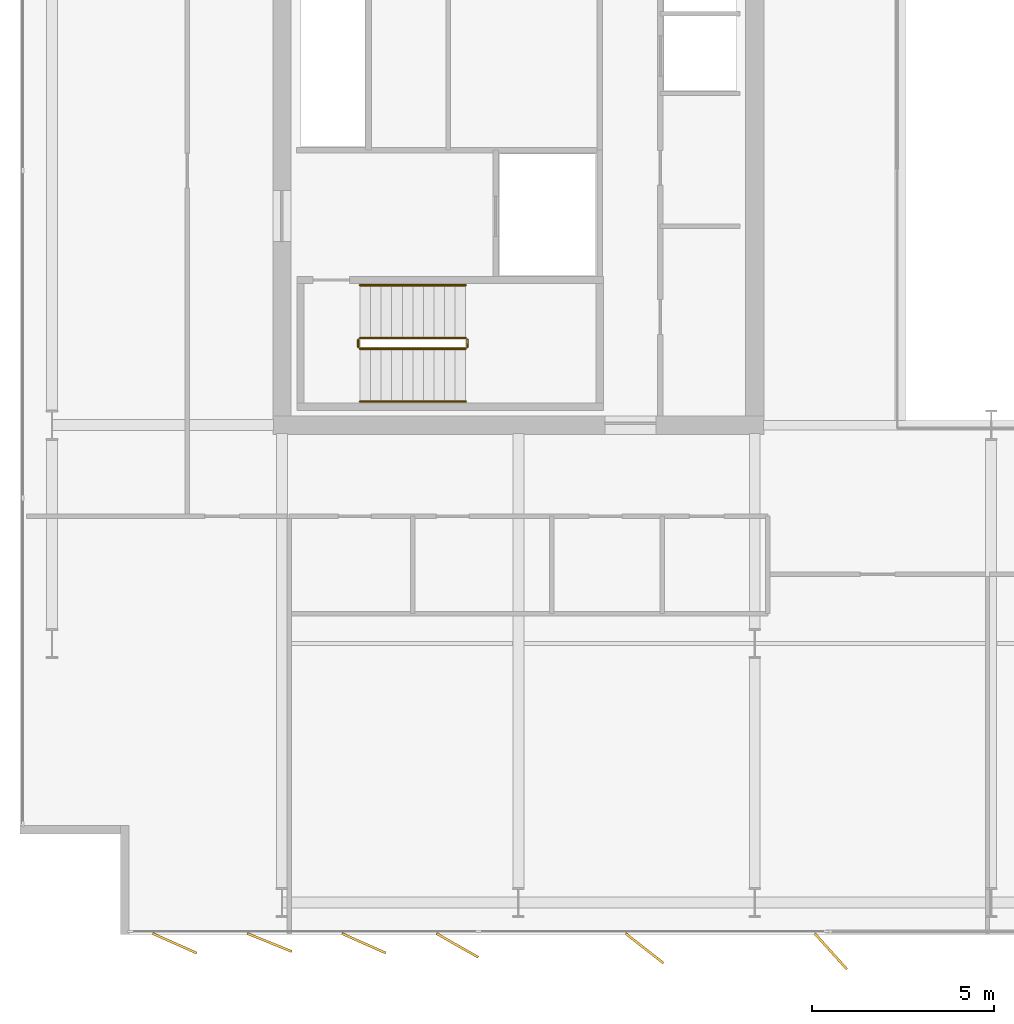
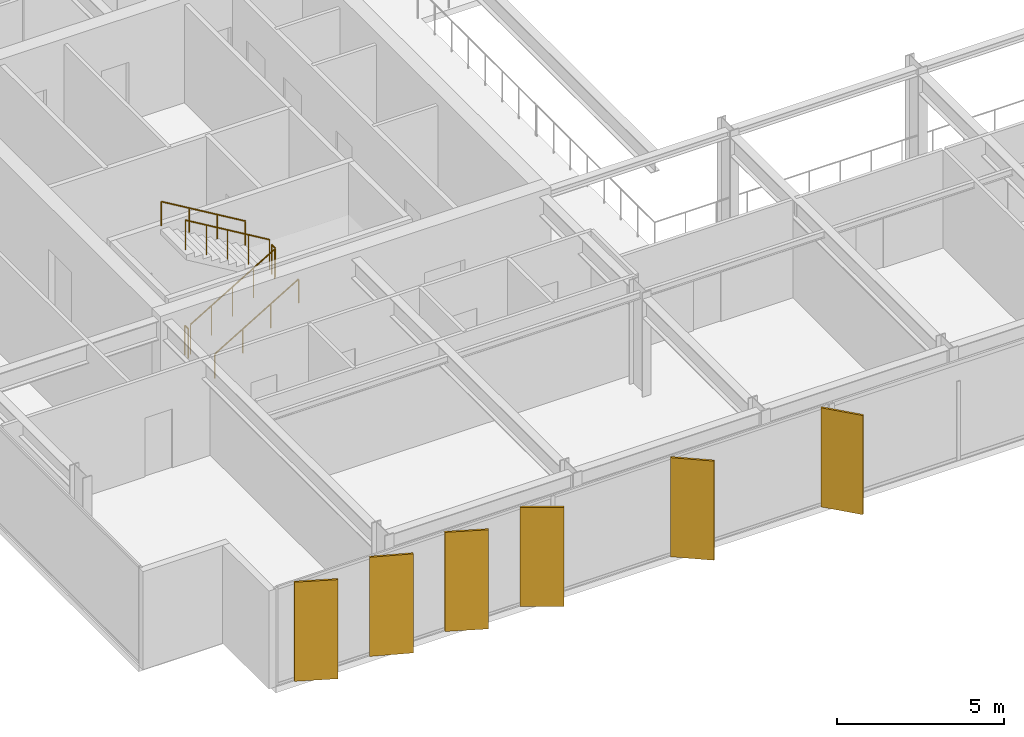
# One storey, part 21 of 24: 6 railings, 6 shading devices.
"""IFC4 building model written with IfcOpenShell, lengths in metres."""

from ifc_helpers import new_model, si_unit, direction, frame, origin, origin_2d, place, context, subcontext, project, spatial, rectangle, circle, extrude, material, layer, layer_set, type_object, element, save


model = new_model("IFC4")

# Units and contexts
model_context = context("Model", 3, precision=1e-05, world=origin(), true_north=direction((0.0, 1.0)))
body_context = subcontext(model_context, "Body", "Model", "MODEL_VIEW")
ifc_project = project(units=[si_unit("LENGTHUNIT", "METRE"), si_unit("AREAUNIT", "SQUARE_METRE"), si_unit("VOLUMEUNIT", "CUBIC_METRE"), si_unit("PLANEANGLEUNIT", "RADIAN"), si_unit("MASSUNIT", "GRAM", prefix="KILO")], contexts=[model_context])

# Site, building, storey
site_placement = place(None, origin())
site = spatial("IfcSite", under=ifc_project, at=site_placement, CompositionType="ELEMENT")
building_placement = place(site_placement, origin())
building = spatial("IfcBuilding", under=site, at=building_placement, Name="Putna Gate Headquarters", CompositionType="ELEMENT")
storey_placement = place(building_placement, frame((0.0, 0.0, 244.199951171875)))
storey = spatial("IfcBuildingStorey", under=building, at=storey_placement, Name="L61", CompositionType="ELEMENT", Elevation=244.199951171875)

# Railings
ifc_material_1 = material(Name="Powder-coated steel stair guardrail", Category="steel")
railing_type_1 = type_object("IfcRailingType", Name="RAIL-STAIR-GUARD-1100", PredefinedType="GUARDRAIL", material=ifc_material_1)
railing_1_placement = place(storey_placement, frame((15.14990234375, 21.10009765625, 0.1728515625)))
element("IfcRailing", 1, at=railing_1_placement, inside=storey, type_object=railing_type_1, Name="L61 ST1 stair guard 1", PredefinedType="GUARDRAIL", context=body_context, shape_type="SweptSolid", body=[
    extrude(circle(Radius=0.02392578125, at=origin_2d()), frame((0.0, 0.0, 1.076171875), z_axis=(0.859160404282, 0.0, 0.51170636083), x_axis=(0.0, 1.0, 0.0)), (0.0, 0.0, 1.0), 3.37548828125),
    extrude(circle(Radius=0.02099609375, at=origin_2d()), origin(), (0.0, 0.0, 1.0), 1.052001953125),
    extrude(circle(Radius=0.02099609375, at=origin_2d()), frame((0.72509765625, 0.0, 0.431884765625)), (0.0, 0.0, 1.0), 1.052001953125),
    extrude(circle(Radius=0.02099609375, at=origin_2d()), frame((1.4501953125, 0.0, 0.86376953125)), (0.0, 0.0, 1.0), 1.052001953125),
    extrude(circle(Radius=0.02099609375, at=origin_2d()), frame((2.175048828125, 0.0, 1.29541015625)), (0.0, 0.0, 1.0), 1.052001953125),
    extrude(circle(Radius=0.02099609375, at=origin_2d()), frame((2.900146484375, 0.0, 1.727294921875)), (0.0, 0.0, 1.0), 1.052001953125),
])
railing_2_placement = place(storey_placement, frame((18.10009765625, 21.14990234375, 1.900146484375)))
element("IfcRailing", 2, at=railing_2_placement, inside=storey, type_object=railing_type_1, Name="L61 ST1 stair guard 2", PredefinedType="GUARDRAIL", context=body_context, shape_type="SweptSolid", body=[
    extrude(circle(Radius=0.02392578125, at=origin_2d()), frame((0.0, 0.0, 1.076171875), z_axis=(0.0, 1.0, 0.0), x_axis=(-1.0, 0.0, 0.0)), (0.0, 0.0, 1.0), 0.2001953125),
    extrude(circle(Radius=0.02099609375, at=origin_2d()), origin(), (0.0, 0.0, 1.0), 1.052001953125),
    extrude(circle(Radius=0.02099609375, at=origin_2d()), frame((0.0, 0.2001953125, 0.0)), (0.0, 0.0, 1.0), 1.052001953125),
])
railing_3_placement = place(storey_placement, frame((18.050048828125, 21.39990234375, 2.07275390625)))
element("IfcRailing", 3, at=railing_3_placement, inside=storey, type_object=railing_type_1, Name="L61 ST1 stair guard 3", PredefinedType="GUARDRAIL", context=body_context, shape_type="SweptSolid", body=[
    extrude(circle(Radius=0.02392578125, at=origin_2d()), frame((0.0, 0.0, 1.076171875), z_axis=(-0.859160404282, 0.0, 0.51170636083), x_axis=(0.0, -1.0, 0.0)), (0.0, 0.0, 1.0), 3.37548828125),
    extrude(circle(Radius=0.02099609375, at=origin_2d()), origin(), (0.0, 0.0, 1.0), 1.052001953125),
    extrude(circle(Radius=0.02099609375, at=origin_2d()), frame((-0.72509765625, 0.0, 0.431884765625)), (0.0, 0.0, 1.0), 1.052001953125),
    extrude(circle(Radius=0.02099609375, at=origin_2d()), frame((-1.4501953125, 0.0, 0.86376953125)), (0.0, 0.0, 1.0), 1.052001953125),
    extrude(circle(Radius=0.02099609375, at=origin_2d()), frame((-2.175048828125, 0.0, 1.29541015625)), (0.0, 0.0, 1.0), 1.052001953125),
    extrude(circle(Radius=0.02099609375, at=origin_2d()), frame((-2.900146484375, 0.0, 1.727294921875)), (0.0, 0.0, 1.0), 1.052001953125),
])
railing_4_placement = place(storey_placement, frame((15.10009765625, 21.14990234375, 0.0)))
element("IfcRailing", 4, at=railing_4_placement, inside=storey, type_object=railing_type_1, Name="L61 ST1 stair guard 4", PredefinedType="GUARDRAIL", context=body_context, shape_type="SweptSolid", body=[
    extrude(circle(Radius=0.02392578125, at=origin_2d()), frame((0.0, 0.0, 1.076171875), z_axis=(0.0, 1.0, 0.0), x_axis=(-1.0, 0.0, 0.0)), (0.0, 0.0, 1.0), 0.2001953125),
    extrude(circle(Radius=0.02099609375, at=origin_2d()), origin(), (0.0, 0.0, 1.0), 1.052001953125),
    extrude(circle(Radius=0.02099609375, at=origin_2d()), frame((0.0, 0.2001953125, 0.0)), (0.0, 0.0, 1.0), 1.052001953125),
])
ifc_material_2 = material(Name="Brushed stainless steel handrail", Category="steel")
railing_type_2 = type_object("IfcRailingType", Name="RAIL-STAIR-HAND-900", PredefinedType="HANDRAIL", material=ifc_material_2)
railing_5_placement = place(storey_placement, frame((15.14990234375, 19.64990234375, 0.1728515625)))
element("IfcRailing", 5, at=railing_5_placement, inside=storey, type_object=railing_type_2, Name="L61 ST1 stair handrail 1", PredefinedType="HANDRAIL", context=body_context, shape_type="SweptSolid", body=[
    extrude(circle(Radius=0.02392578125, at=origin_2d()), frame((0.0, 0.0, 0.8759765625), z_axis=(0.859160404282, 0.0, 0.51170636083), x_axis=(0.0, 1.0, 0.0)), (0.0, 0.0, 1.0), 3.37548828125),
    extrude(circle(Radius=0.02099609375, at=origin_2d()), origin(), (0.0, 0.0, 1.0), 0.851806640625),
    extrude(circle(Radius=0.02099609375, at=origin_2d()), frame((0.966796875, 0.0, 0.57568359375)), (0.0, 0.0, 1.0), 0.851806640625),
    extrude(circle(Radius=0.02099609375, at=origin_2d()), frame((1.933349609375, 0.0, 1.151611328125)), (0.0, 0.0, 1.0), 0.851806640625),
    extrude(circle(Radius=0.02099609375, at=origin_2d()), frame((2.900146484375, 0.0, 1.727294921875)), (0.0, 0.0, 1.0), 0.851806640625),
])
railing_6_placement = place(storey_placement, frame((18.050048828125, 22.85009765625, 2.07275390625)))
element("IfcRailing", 6, at=railing_6_placement, inside=storey, type_object=railing_type_2, Name="L61 ST1 stair handrail 2", PredefinedType="HANDRAIL", context=body_context, shape_type="SweptSolid", body=[
    extrude(circle(Radius=0.02392578125, at=origin_2d()), frame((0.0, 0.0, 0.8759765625), z_axis=(-0.859160404282, 0.0, 0.51170636083), x_axis=(0.0, -1.0, 0.0)), (0.0, 0.0, 1.0), 3.37548828125),
    extrude(circle(Radius=0.02099609375, at=origin_2d()), origin(), (0.0, 0.0, 1.0), 0.851806640625),
    extrude(circle(Radius=0.02099609375, at=origin_2d()), frame((-0.966796875, 0.0, 0.57568359375)), (0.0, 0.0, 1.0), 0.851806640625),
    extrude(circle(Radius=0.02099609375, at=origin_2d()), frame((-1.933349609375, 0.0, 1.151611328125)), (0.0, 0.0, 1.0), 0.851806640625),
    extrude(circle(Radius=0.02099609375, at=origin_2d()), frame((-2.900146484375, 0.0, 1.727294921875)), (0.0, 0.0, 1.0), 0.851806640625),
])

# Shading devices
ifc_material_3 = material(Name="Anodised architectural bronze aluminium fin", Category="aluminium")
ifc_layer = layer(ifc_material_3, 0.06494140625)
ifc_layer_set = layer_set([ifc_layer], Name="Anodised architectural bronze aluminium fin")
shading_device_type = type_object("IfcShadingDeviceType", Name="SHADE-BRONZE-FIN-1320", PredefinedType="USERDEFINED", material=ifc_layer_set)
for number, where, z_axis, x_axis, name in (
    (7, (10.052978515625, 4.7568359375, -0.02001953125), (0.0, 0.0, 1.0), (0.913687379856, -0.40641773078, 0.0), "L61 Bronze Vertical Shading Fin S1"),
    (8, (12.661865234375, 4.77783203125, -0.02001953125), (0.0, 0.0, 1.0), (0.927183854567, -0.374606593416, 0.0), "L61 Bronze Vertical Shading Fin S2"),
    (9, (15.2529296875, 4.7568359375, -0.02001953125), (0.0, 0.0, 1.0), (0.913687379856, -0.40641773078, 0.0), "L61 Bronze Vertical Shading Fin S3"),
    (10, (17.82373046875, 4.69873046875, -0.02001953125), (0.0, 0.0, 1.0), (0.869322458298, -0.494245347472, 0.0), "L61 Bronze Vertical Shading Fin S4"),
    (11, (22.9697265625, 4.6181640625, -0.02001953125), (0.0, 0.0, 1.0), (0.787473187632, -0.616348909921, 0.0), "L61 Bronze Vertical Shading Fin S5"),
    (12, (28.091552734375, 4.534423828125, -0.02001953125), (0.0, 0.0, 1.0), (0.669130606359, -0.743144825477, 0.0), "L61 Bronze Vertical Shading Fin S6"),
):
    element("IfcShadingDevice", number, at=place(storey_placement, frame(where, z_axis=z_axis, x_axis=x_axis)), inside=storey, type_object=shading_device_type, Name=name, ObjectType="FIN", PredefinedType="USERDEFINED", context=body_context, shape_type="SweptSolid", body=[
        extrude(rectangle(XDim=1.320068359375, YDim=0.06494140625, at=origin_2d()), origin(), (0.0, 0.0, 1.0), 3.6201171875),
    ])

save(model, "model.ifc")
